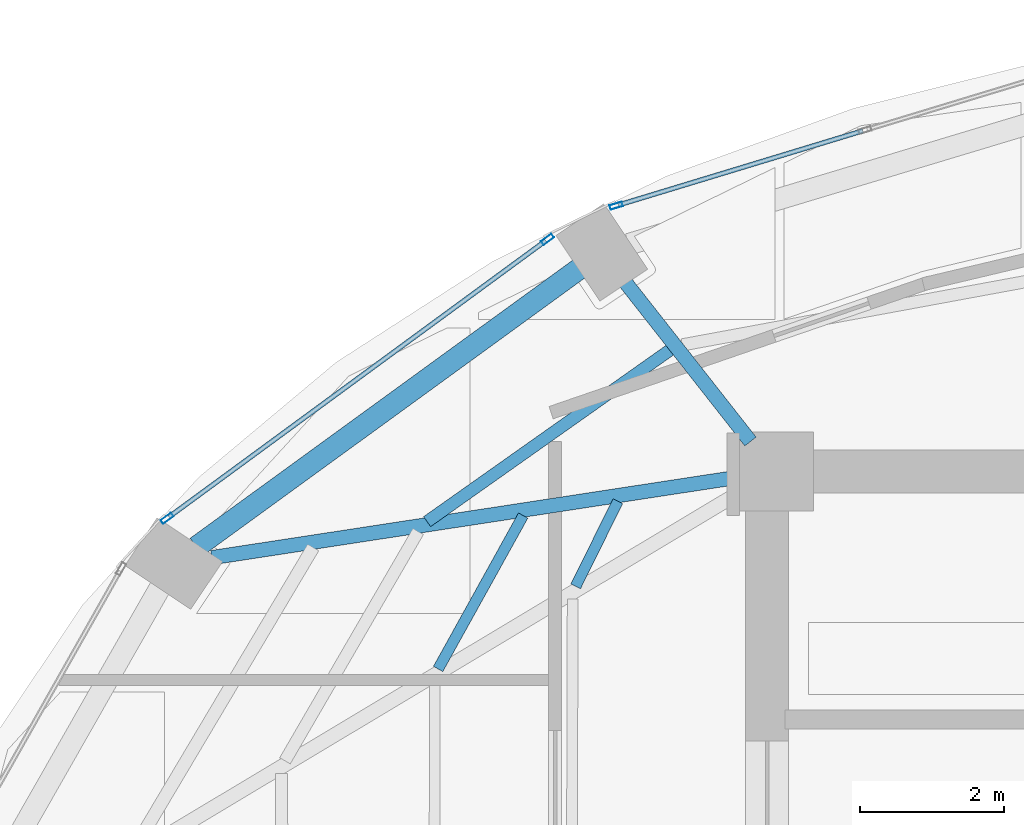
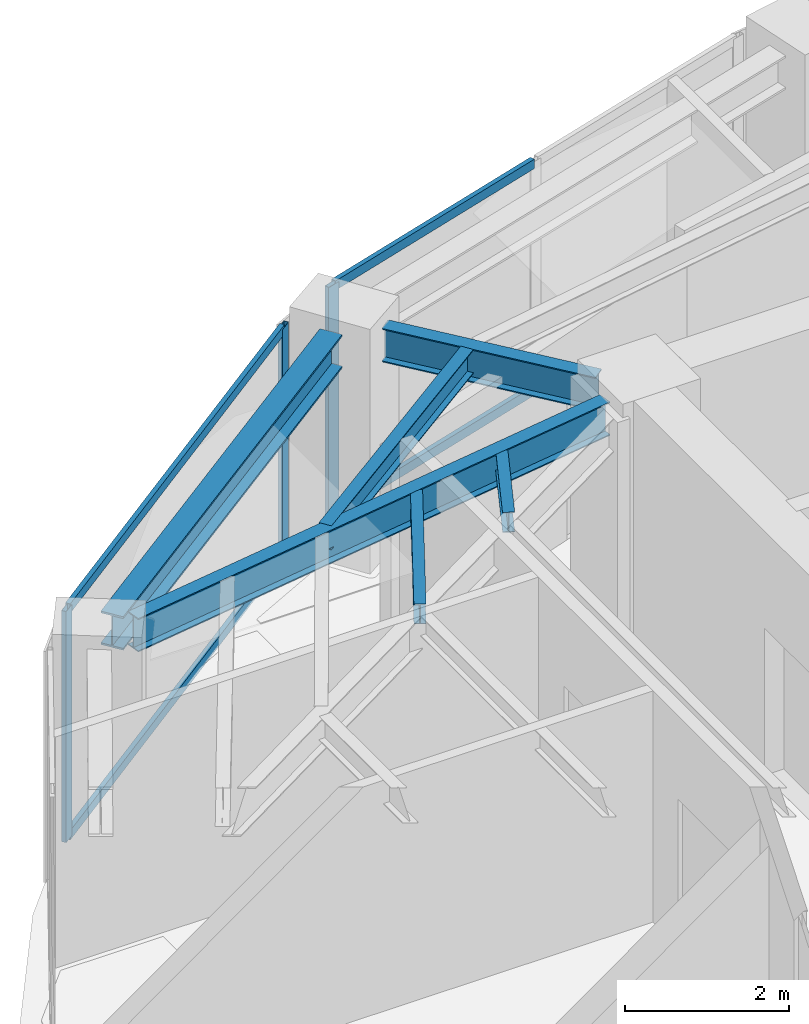
# One storey, part 10 of 23: 7 members, 6 beams, 2 elements without a shape of their own.
"""IFC4 building model written with IfcOpenShell, lengths in metres."""

from ifc_helpers import new_model, si_unit, direction, frame, origin, origin_2d, place, context, subcontext, project, spatial, hollow_rectangle, i_section, extrude, material, layer, layer_set, material_profile, profile_set, type_object, element, aggregate, save


model = new_model("IFC4")

# Units and contexts
model_context = context("Model", 3, precision=1e-05, world=origin(), true_north=direction((0.0, 1.0)))
body_context = subcontext(model_context, "Body", "Model", "MODEL_VIEW")
ifc_project = project(units=[si_unit("LENGTHUNIT", "METRE"), si_unit("AREAUNIT", "SQUARE_METRE"), si_unit("VOLUMEUNIT", "CUBIC_METRE"), si_unit("PLANEANGLEUNIT", "RADIAN"), si_unit("MASSUNIT", "GRAM", prefix="KILO")], contexts=[model_context])

# Site, building, storey
site_placement = place(None, origin())
site = spatial("IfcSite", under=ifc_project, at=site_placement, CompositionType="ELEMENT")
building_placement = place(site_placement, origin())
building = spatial("IfcBuilding", under=site, at=building_placement, Name="Lazwardi Medical Tower", CompositionType="ELEMENT")
storey_placement = place(building_placement, frame((0.0, 0.0, 194.83203125)))
storey = spatial("IfcBuildingStorey", under=building, at=storey_placement, Name="L50", CompositionType="ELEMENT", Elevation=194.83203125)

# Beams
ifc_material_1 = material(Name="Steel S355", Category="steel")
ifc_material_profile_1 = material_profile(ifc_material_1, i_section(OverallWidth=0.300048828125, OverallDepth=0.5, WebThickness=0.014404296875, FlangeThickness=0.028076171875, at=origin_2d()), Name="HEB 500")
ifc_profile_set_1 = profile_set([ifc_material_profile_1], Name="Steel S355")
beam_type_1 = type_object("IfcBeamType", Name="BM-RB-Z4", PredefinedType="BEAM", material=ifc_profile_set_1)
beam_1_placement = place(storey_placement, frame((23.68408203125, 38.4248046875, 3.197998046875), z_axis=(-0.808889916254, -0.587960120571, 0.0), x_axis=(0.587960120571, -0.808889916254, 0.0)))
element("IfcBeam", 1, at=beam_1_placement, inside=storey, type_object=beam_type_1, Name="Ring beam RB-05 B10 L50", PredefinedType="BEAM", context=body_context, shape_type="SweptSolid", body=[
    extrude(i_section(OverallWidth=0.300048828125, OverallDepth=0.5, WebThickness=0.014404296875, FlangeThickness=0.028076171875, at=origin_2d()), origin(), (0.0, 0.0, 1.0), 6.587158203125),
])
ifc_material_profile_2 = material_profile(ifc_material_1, i_section(OverallWidth=0.199951171875, OverallDepth=0.5, WebThickness=0.01025390625, FlangeThickness=0.01611328125, at=origin_2d()), Name="IPE 500")
ifc_profile_set_2 = profile_set([ifc_material_profile_2], Name="Steel S355")
beam_type_2 = type_object("IfcBeamType", Name="BM-RG-W3", PredefinedType="BEAM", material=ifc_profile_set_2)
beam_2_placement = place(storey_placement, frame((24.330322265625, 38.2333984375, 3.197998046875), z_axis=(0.617890508382, -0.786264153864, 0.0), x_axis=(0.786264153864, 0.617890508382, 0.0)))
element("IfcBeam", 2, at=beam_2_placement, inside=storey, type_object=beam_type_2, Name="Radial girder RG-04 R10 L50", PredefinedType="BEAM", context=body_context, shape_type="SweptSolid", body=[
    extrude(i_section(OverallWidth=0.199951171875, OverallDepth=0.5, WebThickness=0.01025390625, FlangeThickness=0.01611328125, at=origin_2d()), origin(), (0.0, 0.0, 1.0), 2.814453125),
])
beam_3_placement = place(storey_placement, frame((18.569091796875, 34.4033203125, 3.197998046875), z_axis=(0.988522137285, 0.151076087115, 0.0), x_axis=(-0.151076087115, 0.988522137285, 0.0)))
element("IfcBeam", 3, at=beam_3_placement, inside=storey, type_object=beam_type_2, Name="Radial girder RG-04 R11 L50", PredefinedType="BEAM", context=body_context, shape_type="SweptSolid", body=[
    extrude(i_section(OverallWidth=0.199951171875, OverallDepth=0.5, WebThickness=0.01025390625, FlangeThickness=0.01611328125, at=origin_2d()), origin(), (0.0, 0.0, 1.0), 7.38671875),
])
ifc_material_profile_3 = material_profile(ifc_material_1, i_section(OverallWidth=0.169921875, OverallDepth=0.360107421875, WebThickness=0.008056640625, FlangeThickness=0.0126953125, at=origin_2d()), Name="IPE 360")
ifc_profile_set_3 = profile_set([ifc_material_profile_3], Name="Steel S355")
beam_type_3 = type_object("IfcBeamType", Name="BM-SJ-02", PredefinedType="JOIST", material=ifc_profile_set_3)
beam_4_placement = place(storey_placement, frame((24.948486328125, 37.29345703125, 3.26806640625), z_axis=(-0.816711190406, -0.577046645832, 0.0), x_axis=(0.577046645832, -0.816711190406, 0.0)))
element("IfcBeam", 4, at=beam_4_placement, inside=storey, type_object=beam_type_3, Name="Secondary joist SJ-02 R2 B10 L50", PredefinedType="JOIST", context=body_context, shape_type="SweptSolid", body=[
    extrude(i_section(OverallWidth=0.169921875, OverallDepth=0.360107421875, WebThickness=0.008056640625, FlangeThickness=0.0126953125, at=origin_2d()), origin(), (0.0, 0.0, 1.0), 4.139892578125),
])
ifc_material_profile_4 = material_profile(ifc_material_1, i_section(OverallWidth=0.14990234375, OverallDepth=0.300048828125, WebThickness=0.007080078125, FlangeThickness=0.0107421875, at=origin_2d()), Name="IPE 300")
ifc_profile_set_4 = profile_set([ifc_material_profile_4], Name="Steel S355")
beam_type_4 = type_object("IfcBeamType", Name="BM-SJ-03", PredefinedType="JOIST", material=ifc_profile_set_4)
beam_5_placement = place(storey_placement, frame((22.904296875, 34.98974609375, 3.2978515625), z_axis=(-0.484751625998, -0.874651851363, 0.0), x_axis=(0.874651851363, -0.484751625998, 0.0)))
element("IfcBeam", 5, at=beam_5_placement, inside=storey, type_object=beam_type_4, Name="Secondary joist SJ-03 R3 B11 L50", PredefinedType="JOIST", context=body_context, shape_type="SweptSolid", body=[
    extrude(i_section(OverallWidth=0.14990234375, OverallDepth=0.300048828125, WebThickness=0.007080078125, FlangeThickness=0.0107421875, at=origin_2d()), origin(), (0.0, 0.0, 1.0), 2.442626953125),
])
beam_6_placement = place(storey_placement, frame((24.222412109375, 35.188720703125, 3.2978515625), z_axis=(-0.443587297772, -0.89623116954, 0.0), x_axis=(0.89623116954, -0.443587297772, 0.0)))
element("IfcBeam", 6, at=beam_6_placement, inside=storey, type_object=beam_type_4, Name="Secondary joist SJ-03 R4 B11 L50", PredefinedType="JOIST", context=body_context, shape_type="SweptSolid", body=[
    extrude(i_section(OverallWidth=0.14990234375, OverallDepth=0.300048828125, WebThickness=0.007080078125, FlangeThickness=0.0107421875, at=origin_2d()), origin(), (0.0, 0.0, 1.0), 1.32080078125),
])

# Curtain wall, member
ifc_material_2 = material(Name="Anodised bronze aluminium and solar control glazing", Category="aluminium")
ifc_layer = layer(ifc_material_2, 0.18994140625)
ifc_layer_set = layer_set([ifc_layer], Name="Anodised bronze aluminium and solar control glazing")
curtain_wall_type = type_object("IfcCurtainWallType", Name="CW-SYS-04", PredefinedType="NOTDEFINED", material=ifc_layer_set)
curtain_wall_1_placement = place(storey_placement, origin())
curtain_wall_1 = element("IfcCurtainWall", 7, at=curtain_wall_1_placement, inside=storey, type_object=curtain_wall_type, Name="L50 Unitised bronze curtain wall CW-04", PredefinedType="NOTDEFINED")
ifc_material_3 = material(Name="Anodised bronze aluminium", Category="aluminium")
ifc_material_profile_5 = material_profile(ifc_material_3, hollow_rectangle(XDim=0.06494140625, YDim=0.179931640625, WallThickness=0.00390625, at=origin_2d()), Name="ALU-MULLION 180x65x4")
ifc_profile_set_5 = profile_set([ifc_material_profile_5], Name="Anodised bronze aluminium")
member_type_1 = type_object("IfcMemberType", Name="CW-MUL-03", PredefinedType="MULLION", material=ifc_profile_set_5)
member_1_placement = place(storey_placement, frame((24.2001953125, 39.303466796875, 0.0), z_axis=(0.0, 0.0, 1.0), x_axis=(0.290581889515, -0.956850126972, 0.0)))
member_1 = element("IfcMember", 8, at=member_1_placement, type_object=member_type_1, Name="CW-04 mullion 3", PredefinedType="MULLION", context=body_context, shape_type="SweptSolid", body=[
    extrude(hollow_rectangle(XDim=0.06494140625, YDim=0.179931640625, WallThickness=0.00390625, at=origin_2d()), origin(), (0.0, 0.0, 1.0), 3.447998046875),
])

# Curtain wall, members
curtain_wall_2_placement = place(storey_placement, origin())
curtain_wall_2 = element("IfcCurtainWall", 9, at=curtain_wall_2_placement, inside=storey, type_object=curtain_wall_type, Name="L50 Unitised bronze curtain wall CW-04", PredefinedType="NOTDEFINED")
member_2_placement = place(storey_placement, frame((23.24462890625, 38.8349609375, 0.0), z_axis=(0.0, 0.0, 1.0), x_axis=(0.591268230971, -0.806474971121, 0.0)))
member_2 = element("IfcMember", 10, at=member_2_placement, type_object=member_type_1, Name="CW-04 mullion 1", PredefinedType="MULLION", context=body_context, shape_type="SweptSolid", body=[
    extrude(hollow_rectangle(XDim=0.06494140625, YDim=0.179931640625, WallThickness=0.00390625, at=origin_2d()), origin(), (0.0, 0.0, 1.0), 3.447998046875),
])
member_3_placement = place(storey_placement, frame((17.947998046875, 34.95166015625, 0.0), z_axis=(0.0, 0.0, 1.0), x_axis=(0.591268230971, -0.806474971121, 0.0)))
member_3 = element("IfcMember", 11, at=member_3_placement, type_object=member_type_1, Name="CW-04 mullion 2", PredefinedType="MULLION", context=body_context, shape_type="SweptSolid", body=[
    extrude(hollow_rectangle(XDim=0.06494140625, YDim=0.179931640625, WallThickness=0.00390625, at=origin_2d()), origin(), (0.0, 0.0, 1.0), 3.447998046875),
])

# Member
ifc_material_profile_6 = material_profile(ifc_material_3, hollow_rectangle(XDim=0.06494140625, YDim=0.139892578125, WallThickness=0.00341796875, at=origin_2d()), Name="ALU-TRANSOM 140x65x3.5")
ifc_profile_set_6 = profile_set([ifc_material_profile_6], Name="Anodised bronze aluminium")
member_type_2 = type_object("IfcMemberType", Name="CW-TRN-03", PredefinedType="USERDEFINED", material=ifc_profile_set_6)
member_4_placement = place(storey_placement, frame((27.632568359375, 40.345947265625, 0.032470703125), z_axis=(-0.956843409009, -0.290604010015, 0.0), x_axis=(0.290604010015, -0.956843409009, 0.0)))
member_4 = element("IfcMember", 12, at=member_4_placement, type_object=member_type_2, Name="CW-04 transom 2.1", ObjectType="TRANSOM", PredefinedType="USERDEFINED", context=body_context, shape_type="SweptSolid", body=[
    extrude(hollow_rectangle(XDim=0.06494140625, YDim=0.139892578125, WallThickness=0.00341796875, at=origin_2d()), origin(), (0.0, 0.0, 1.0), 3.554443359375),
])

member_5_placement = place(storey_placement, frame((27.632568359375, 40.345947265625, 3.41552734375), z_axis=(-0.956843409009, -0.290604010015, 0.0), x_axis=(0.290604010015, -0.956843409009, 0.0)))
member_5 = element("IfcMember", 13, at=member_5_placement, type_object=member_type_2, Name="CW-04 transom 2.2", ObjectType="TRANSOM", PredefinedType="USERDEFINED", context=body_context, shape_type="SweptSolid", body=[
    extrude(hollow_rectangle(XDim=0.06494140625, YDim=0.139892578125, WallThickness=0.00341796875, at=origin_2d()), origin(), (0.0, 0.0, 1.0), 3.554443359375),
])

aggregate(curtain_wall_1, [member_1, member_4, member_5])

member_6_placement = place(storey_placement, frame((23.218505859375, 38.815673828125, 0.032470703125), z_axis=(-0.80648973359, -0.591248094808, 0.0), x_axis=(0.591248094808, -0.80648973359, 0.0)))
member_6 = element("IfcMember", 14, at=member_6_placement, type_object=member_type_2, Name="CW-04 transom 1.1", ObjectType="TRANSOM", PredefinedType="USERDEFINED", context=body_context, shape_type="SweptSolid", body=[
    extrude(hollow_rectangle(XDim=0.06494140625, YDim=0.139892578125, WallThickness=0.00341796875, at=origin_2d()), origin(), (0.0, 0.0, 1.0), 6.502685546875),
])

member_7_placement = place(storey_placement, frame((23.218505859375, 38.815673828125, 3.41552734375), z_axis=(-0.80648973359, -0.591248094808, 0.0), x_axis=(0.591248094808, -0.80648973359, 0.0)))
member_7 = element("IfcMember", 15, at=member_7_placement, type_object=member_type_2, Name="CW-04 transom 1.2", ObjectType="TRANSOM", PredefinedType="USERDEFINED", context=body_context, shape_type="SweptSolid", body=[
    extrude(hollow_rectangle(XDim=0.06494140625, YDim=0.139892578125, WallThickness=0.00341796875, at=origin_2d()), origin(), (0.0, 0.0, 1.0), 6.502685546875),
])

aggregate(curtain_wall_2, [member_2, member_3, member_6, member_7])

save(model, "model.ifc")
